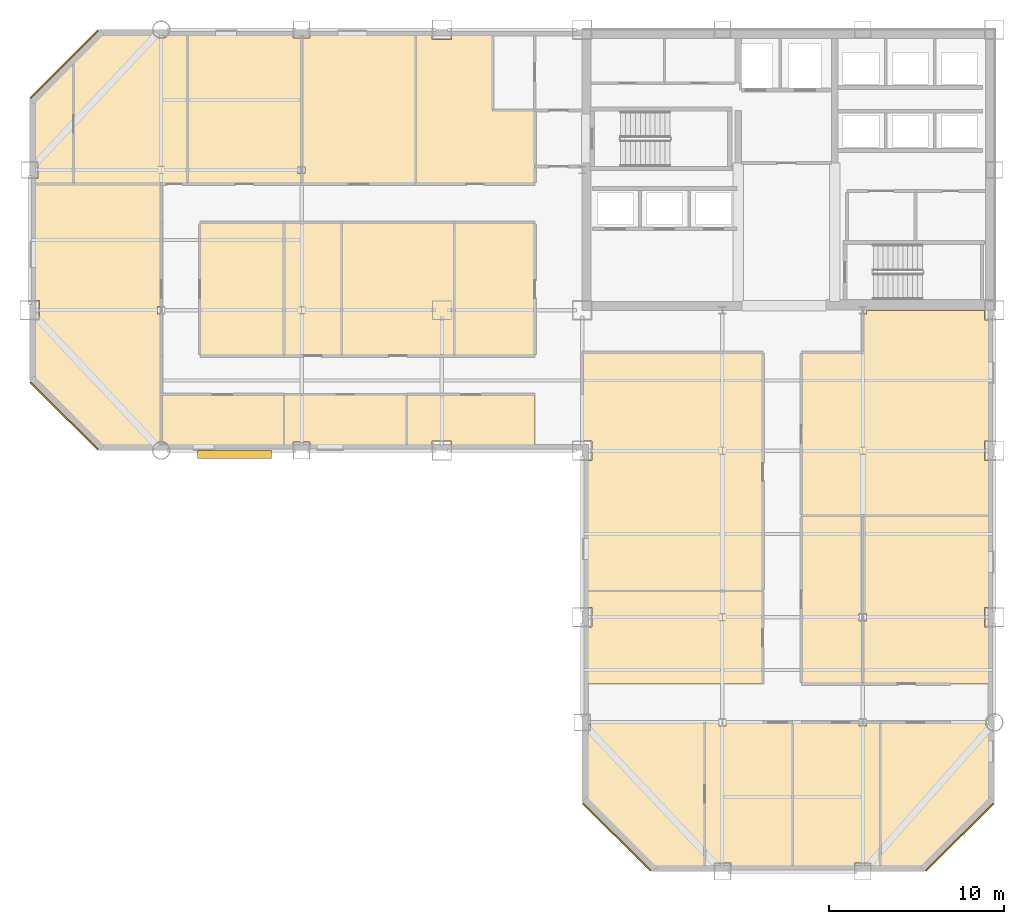
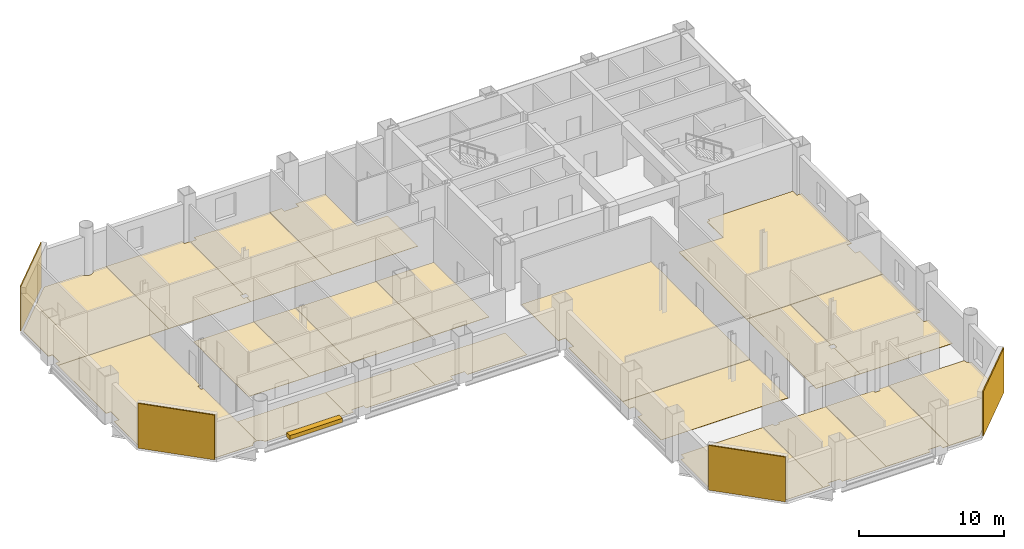
# One storey, part 9 of 10: 26 coverings, 1 shading device.
"""IFC4 building model written with IfcOpenShell, lengths in metres."""

from ifc_helpers import new_model, si_unit, direction, frame, origin, origin_2d, place, context, subcontext, project, spatial, polyline, rectangle, outline, extrude, material, layer, layer_set, type_object, element, save


model = new_model("IFC4")

# Units and contexts
model_context = context("Model", 3, precision=1e-05, world=origin(), true_north=direction((0.0, 1.0)))
body_context = subcontext(model_context, "Body", "Model", "MODEL_VIEW")
ifc_project = project(units=[si_unit("LENGTHUNIT", "METRE"), si_unit("AREAUNIT", "SQUARE_METRE"), si_unit("VOLUMEUNIT", "CUBIC_METRE"), si_unit("PLANEANGLEUNIT", "RADIAN"), si_unit("MASSUNIT", "GRAM", prefix="KILO")], contexts=[model_context])

# Site, building, storey
site_placement = place(None, origin())
site = spatial("IfcSite", under=ifc_project, at=site_placement, CompositionType="ELEMENT")
building_placement = place(site_placement, origin())
building = spatial("IfcBuilding", under=site, at=building_placement, Name="Qianrong Seaharbour Tower", CompositionType="ELEMENT")
storey_placement = place(building_placement, frame((0.0, 0.0, 183.0)))
storey = spatial("IfcBuildingStorey", under=building, at=storey_placement, Name="L44", CompositionType="ELEMENT", Elevation=183.0)

# Coverings
ifc_material_1 = material(Name="Unitised red brick cladding on Precast concrete C45/55", Category="masonry")
ifc_layer_1 = layer(ifc_material_1, 0.080078125)
ifc_layer_set_1 = layer_set([ifc_layer_1], Name="Unitised red brick cladding on Precast concrete C45/55")
covering_type_1 = type_object("IfcCoveringType", Name="COV-CLAD-RED-BRICK-80", PredefinedType="CLADDING", material=ifc_layer_set_1)
for number, where, z_axis, x_axis, name in (
    (1, (10.9716796875, 29.9716796875, 0.0), (0.0, 0.0, 1.0), (-0.707106781187, 0.707106781187, 0.0), "L44 Chamfer Corner Brick Cladding 02"),
    (2, (10.9716796875, 50.0283203125, 0.0), (0.0, 0.0, 1.0), (0.707106781187, 0.707106781187, 0.0), "L44 Chamfer Corner Brick Cladding 04"),
    (3, (62.0283203125, 5.9716796875, 0.0), (0.0, 0.0, 1.0), (-0.707106781187, -0.707106781187, 0.0), "L44 Chamfer Corner Brick Cladding 07"),
    (4, (42.4716796875, 5.9716796875, 0.0), (0.0, 0.0, 1.0), (-0.707106781187, 0.707106781187, 0.0), "L44 Chamfer Corner Brick Cladding 09"),
):
    element("IfcCovering", number, at=place(storey_placement, frame(where, z_axis=z_axis, x_axis=x_axis)), inside=storey, type_object=covering_type_1, Name=name, PredefinedType="CLADDING", context=body_context, shape_type="SweptSolid", body=[
        extrude(rectangle(XDim=5.456787109375, YDim=0.080078125, at=origin_2d()), origin(), (0.0, 0.0, 1.0), 3.764892578125),
    ])
ifc_material_2 = material(Name="Acoustic modular carpet tile flooring")
ifc_layer_2 = layer(ifc_material_2, 0.02001953125)
ifc_layer_set_2 = layer_set([ifc_layer_2], Name="Acoustic modular carpet tile flooring")
covering_type_2 = type_object("IfcCoveringType", Name="COV-FLOOR-CARPET-20", PredefinedType="FLOORING", material=ifc_layer_set_2)
covering_1_placement = place(storey_placement, origin())
element("IfcCovering", 5, at=covering_1_placement, inside=storey, type_object=covering_type_2, Name="L44 Contract Meeting Room 4 Finish Flooring", PredefinedType="FLOORING", context=body_context, shape_type="SweptSolid", body=[
    extrude(outline(polyline([(24.5, 43.7900390625), (24.7099609375, 43.7900390625), (24.7099609375, 44.2099609375), (24.5, 44.2099609375), (24.5, 51.514892578125), (24.985107421875, 51.514892578125), (24.985107421875, 51.824951171875), (31.0, 51.824951171875), (31.0, 43.199951171875), (24.5, 43.199951171875), (24.5, 43.7900390625)])), origin(), (0.0, 0.0, 1.0), 0.02001953125),
])
covering_2_placement = place(storey_placement, origin())
element("IfcCovering", 6, at=covering_2_placement, inside=storey, type_object=covering_type_2, Name="L44 Negotiation Meeting Room 1 Finish Flooring", PredefinedType="FLOORING", context=body_context, shape_type="SweptSolid", body=[
    extrude(outline(polyline([(23.5, 28.175048828125), (16.977294921875, 28.175048828125), (16.97119140625, 28.1953125), (16.924072265625, 28.283203125), (16.860595703125, 28.360595703125), (16.783203125, 28.424072265625), (16.6953125, 28.47119140625), (16.599609375, 28.500244140625), (16.5, 28.510009765625), (16.5, 31.199951171875), (23.5, 31.199951171875), (23.5, 28.175048828125)])), origin(), (0.0, 0.0, 1.0), 0.02001953125),
])
covering_3_placement = place(storey_placement, origin())
element("IfcCovering", 7, at=covering_3_placement, inside=storey, type_object=covering_type_2, Name="L44 Wet Pantry 2 Finish Flooring", PredefinedType="FLOORING", context=body_context, shape_type="SweptSolid", body=[
    extrude(outline(polyline([(30.5, 28.175048828125), (24.985107421875, 28.175048828125), (24.985107421875, 28.485107421875), (24.014892578125, 28.485107421875), (24.014892578125, 28.175048828125), (23.5, 28.175048828125), (23.5, 31.199951171875), (30.5, 31.199951171875), (30.5, 28.175048828125)])), origin(), (0.0, 0.0, 1.0), 0.02001953125),
])
covering_4_placement = place(storey_placement, origin())
element("IfcCovering", 8, at=covering_4_placement, inside=storey, type_object=covering_type_2, Name="L44 Negotiation Meeting Room 3 Finish Flooring", PredefinedType="FLOORING", context=body_context, shape_type="SweptSolid", body=[
    extrude(outline(polyline([(37.800048828125, 28.175048828125), (33.06005859375, 28.175048828125), (33.06005859375, 28.56005859375), (31.93994140625, 28.56005859375), (31.93994140625, 28.175048828125), (30.5, 28.175048828125), (30.5, 31.199951171875), (37.800048828125, 31.199951171875), (37.800048828125, 28.175048828125)])), origin(), (0.0, 0.0, 1.0), 0.02001953125),
])
covering_5_placement = place(storey_placement, origin())
element("IfcCovering", 9, at=covering_5_placement, inside=storey, type_object=covering_type_2, Name="L44 Wet Pantry 1 Finish Flooring", PredefinedType="FLOORING", context=body_context, shape_type="SweptSolid", body=[
    extrude(outline(polyline([(40.675048828125, 14.699951171875), (40.675048828125, 17.93994140625), (41.06005859375, 17.93994140625), (41.06005859375, 19.06005859375), (40.675048828125, 19.06005859375), (40.675048828125, 20.0), (50.800048828125, 20.0), (50.800048828125, 14.699951171875), (40.675048828125, 14.699951171875)])), origin(), (0.0, 0.0, 1.0), 0.02001953125),
])
covering_6_placement = place(storey_placement, origin())
element("IfcCovering", 10, at=covering_6_placement, inside=storey, type_object=covering_type_2, Name="L44 Harbour Trade Lounge 1 Finish Flooring", PredefinedType="FLOORING", context=body_context, shape_type="SweptSolid", body=[
    extrude(outline(polyline([(44.572509765625, 4.175048828125), (40.675048828125, 8.072509765625), (40.675048828125, 12.014892578125), (40.985107421875, 12.014892578125), (40.985107421875, 12.5), (47.5, 12.5), (47.5, 4.175048828125), (44.572509765625, 4.175048828125)])), origin(), (0.0, 0.0, 1.0), 0.02001953125),
])
covering_7_placement = place(storey_placement, origin())
element("IfcCovering", 11, at=covering_7_placement, inside=storey, type_object=covering_type_2, Name="L44 Contract Signing Room 2 Finish Flooring", PredefinedType="FLOORING", context=body_context, shape_type="SweptSolid", body=[
    extrude(outline(polyline([(52.5, 4.175048828125), (48.985107421875, 4.175048828125), (48.985107421875, 4.485107421875), (48.014892578125, 4.485107421875), (48.014892578125, 4.175048828125), (47.5, 4.175048828125), (47.5, 12.5), (48.2900390625, 12.5), (48.2900390625, 12.2900390625), (48.7099609375, 12.2900390625), (48.7099609375, 12.5), (52.5, 12.5), (52.5, 4.175048828125)])), origin(), (0.0, 0.0, 1.0), 0.02001953125),
])
ifc_material_3 = material(Name="Honed granite stone flooring", Category="masonry")
ifc_layer_3 = layer(ifc_material_3, 0.030029296875)
ifc_layer_set_3 = layer_set([ifc_layer_3], Name="Honed granite stone flooring")
covering_type_3 = type_object("IfcCoveringType", Name="COV-FLOOR-GRANITE-30", PredefinedType="FLOORING", material=ifc_layer_set_3)
covering_8_placement = place(storey_placement, origin())
element("IfcCovering", 12, at=covering_8_placement, inside=storey, type_object=covering_type_3, Name="L44 Chartering Model Showroom 1 Finish Flooring", PredefinedType="FLOORING", context=body_context, shape_type="SweptSolid", body=[
    extrude(outline(polyline([(56.5, 24.2900390625), (56.5, 18.7099609375), (56.2900390625, 18.7099609375), (56.2900390625, 18.2900390625), (56.5, 18.2900390625), (56.5, 14.699951171875), (53.0, 14.699951171875), (53.0, 24.2900390625), (56.5, 24.2900390625)])), origin(), (0.0, 0.0, 1.0), 0.030029296875),
])
covering_9_placement = place(storey_placement, origin())
element("IfcCovering", 13, at=covering_9_placement, inside=storey, type_object=covering_type_3, Name="L44 Port Equipment Showroom 2 Finish Flooring", PredefinedType="FLOORING", context=body_context, shape_type="SweptSolid", body=[
    extrude(outline(polyline([(63.824951171875, 24.2900390625), (63.824951171875, 19.06005859375), (63.43994140625, 19.06005859375), (63.43994140625, 17.93994140625), (63.824951171875, 17.93994140625), (63.824951171875, 14.699951171875), (56.5, 14.699951171875), (56.5, 18.2900390625), (56.7099609375, 18.2900390625), (56.7099609375, 18.7099609375), (56.5, 18.7099609375), (56.5, 24.2900390625), (63.824951171875, 24.2900390625)])), origin(), (0.0, 0.0, 1.0), 0.030029296875),
])
covering_10_placement = place(storey_placement, origin())
element("IfcCovering", 14, at=covering_10_placement, inside=storey, type_object=covering_type_3, Name="L44 Vessel Model Showroom 1 Finish Flooring", PredefinedType="FLOORING", context=body_context, shape_type="SweptSolid", body=[
    extrude(outline(polyline([(9.175048828125, 43.514892578125), (9.485107421875, 43.514892578125), (9.485107421875, 44.485107421875), (9.175048828125, 44.485107421875), (9.175048828125, 47.927490234375), (11.5, 50.25244140625), (11.5, 43.199951171875), (9.175048828125, 43.199951171875), (9.175048828125, 43.514892578125)])), origin(), (0.0, 0.0, 1.0), 0.030029296875),
])
covering_11_placement = place(storey_placement, origin())
element("IfcCovering", 15, at=covering_11_placement, inside=storey, type_object=covering_type_3, Name="L44 Navigation Systems Showroom 2 Finish Flooring", PredefinedType="FLOORING", context=body_context, shape_type="SweptSolid", body=[
    extrude(outline(polyline([(11.5, 50.25244140625), (13.072509765625, 51.824951171875), (16.022705078125, 51.824951171875), (16.02880859375, 51.8046875), (16.075927734375, 51.716796875), (16.139404296875, 51.639404296875), (16.216796875, 51.575927734375), (16.3046875, 51.52880859375), (16.400390625, 51.499755859375), (16.5, 51.489990234375), (16.599609375, 51.499755859375), (16.6953125, 51.52880859375), (16.783203125, 51.575927734375), (16.860595703125, 51.639404296875), (16.924072265625, 51.716796875), (16.97119140625, 51.8046875), (16.977294921875, 51.824951171875), (18.0, 51.824951171875), (18.0, 43.199951171875), (11.5, 43.199951171875), (11.5, 50.25244140625)])), origin(), (0.0, 0.0, 1.0), 0.030029296875),
])
covering_12_placement = place(storey_placement, origin())
element("IfcCovering", 16, at=covering_12_placement, inside=storey, type_object=covering_type_3, Name="L44 Marine Propulsion Showroom 3 Finish Flooring", PredefinedType="FLOORING", context=body_context, shape_type="SweptSolid", body=[
    extrude(outline(polyline([(18.0, 51.824951171875), (24.014892578125, 51.824951171875), (24.014892578125, 51.514892578125), (24.5, 51.514892578125), (24.5, 44.2099609375), (24.2900390625, 44.2099609375), (24.2900390625, 43.7900390625), (24.5, 43.7900390625), (24.5, 43.199951171875), (18.0, 43.199951171875), (18.0, 51.824951171875)])), origin(), (0.0, 0.0, 1.0), 0.030029296875),
])
covering_13_placement = place(storey_placement, origin())
element("IfcCovering", 17, at=covering_13_placement, inside=storey, type_object=covering_type_3, Name="L44 Vessel Model Showroom 5 Finish Flooring", PredefinedType="FLOORING", context=body_context, shape_type="SweptSolid", body=[
    extrude(outline(polyline([(31.0, 51.824951171875), (31.93994140625, 51.824951171875), (31.93994140625, 51.43994140625), (33.06005859375, 51.43994140625), (33.06005859375, 51.824951171875), (35.39990234375, 51.824951171875), (35.39990234375, 47.39990234375), (37.800048828125, 47.39990234375), (37.800048828125, 43.199951171875), (31.0, 43.199951171875), (31.0, 51.824951171875)])), origin(), (0.0, 0.0, 1.0), 0.030029296875),
])
covering_14_placement = place(storey_placement, origin())
element("IfcCovering", 18, at=covering_14_placement, inside=storey, type_object=covering_type_3, Name="L44 Maritime Artifact Showroom 1 Finish Flooring", PredefinedType="FLOORING", context=body_context, shape_type="SweptSolid", body=[
    extrude(outline(polyline([(23.5, 41.0), (23.5, 33.39990234375), (18.699951171875, 33.39990234375), (18.699951171875, 41.0), (23.5, 41.0)])), origin(), (0.0, 0.0, 1.0), 0.030029296875),
])
covering_15_placement = place(storey_placement, origin())
element("IfcCovering", 19, at=covering_15_placement, inside=storey, type_object=covering_type_3, Name="L44 Maritime Artifact Showroom 2 Finish Flooring", PredefinedType="FLOORING", context=body_context, shape_type="SweptSolid", body=[
    extrude(outline(polyline([(26.800048828125, 41.0), (26.800048828125, 33.39990234375), (23.5, 33.39990234375), (23.5, 41.0), (26.800048828125, 41.0)])), origin(), (0.0, 0.0, 1.0), 0.030029296875),
])
covering_16_placement = place(storey_placement, origin())
element("IfcCovering", 20, at=covering_16_placement, inside=storey, type_object=covering_type_3, Name="L44 Maritime Artifact Showroom 3 Finish Flooring", PredefinedType="FLOORING", context=body_context, shape_type="SweptSolid", body=[
    extrude(outline(polyline([(33.199951171875, 41.0), (33.199951171875, 33.39990234375), (26.800048828125, 33.39990234375), (26.800048828125, 41.0), (33.199951171875, 41.0)])), origin(), (0.0, 0.0, 1.0), 0.030029296875),
])
covering_17_placement = place(storey_placement, origin())
element("IfcCovering", 21, at=covering_17_placement, inside=storey, type_object=covering_type_3, Name="L44 Maritime Artifact Showroom 4 Finish Flooring", PredefinedType="FLOORING", context=body_context, shape_type="SweptSolid", body=[
    extrude(outline(polyline([(37.800048828125, 41.0), (37.800048828125, 33.39990234375), (33.199951171875, 33.39990234375), (33.199951171875, 41.0), (37.800048828125, 41.0)])), origin(), (0.0, 0.0, 1.0), 0.030029296875),
])
covering_18_placement = place(storey_placement, origin())
element("IfcCovering", 22, at=covering_18_placement, inside=storey, type_object=covering_type_3, Name="L44 Flagship Fleet Exhibition Showroom Finish Flooring", PredefinedType="FLOORING", context=body_context, shape_type="SweptSolid", body=[
    extrude(outline(polyline([(13.072509765625, 28.175048828125), (9.175048828125, 32.072509765625), (9.175048828125, 35.43994140625), (9.56005859375, 35.43994140625), (9.56005859375, 36.56005859375), (9.175048828125, 36.56005859375), (9.175048828125, 43.199951171875), (16.5, 43.199951171875), (16.5, 36.2099609375), (16.2900390625, 36.2099609375), (16.2900390625, 35.7900390625), (16.5, 35.7900390625), (16.5, 28.510009765625), (16.400390625, 28.500244140625), (16.3046875, 28.47119140625), (16.216796875, 28.424072265625), (16.139404296875, 28.360595703125), (16.075927734375, 28.283203125), (16.02880859375, 28.1953125), (16.022705078125, 28.175048828125), (13.072509765625, 28.175048828125)])), origin(), (0.0, 0.0, 1.0), 0.030029296875),
])
covering_19_placement = place(storey_placement, origin())
element("IfcCovering", 23, at=covering_19_placement, inside=storey, type_object=covering_type_3, Name="L44 Maritime Fleet Gallery 2 Finish Flooring", PredefinedType="FLOORING", context=body_context, shape_type="SweptSolid", body=[
    extrude(outline(polyline([(50.800048828125, 20.0), (40.675048828125, 20.0), (40.675048828125, 27.43994140625), (41.06005859375, 27.43994140625), (41.06005859375, 28.56005859375), (40.5, 28.56005859375), (40.5, 33.60009765625), (50.800048828125, 33.60009765625), (50.800048828125, 20.0)])), origin(), (0.0, 0.0, 1.0), 0.030029296875),
])
covering_20_placement = place(storey_placement, origin())
element("IfcCovering", 24, at=covering_20_placement, inside=storey, type_object=covering_type_3, Name="L44 Marine Showcase Showroom 3 Finish Flooring", PredefinedType="FLOORING", context=body_context, shape_type="SweptSolid", body=[
    extrude(outline(polyline([(57.5, 4.175048828125), (56.985107421875, 4.175048828125), (56.985107421875, 4.485107421875), (56.014892578125, 4.485107421875), (56.014892578125, 4.175048828125), (52.5, 4.175048828125), (52.5, 12.5), (56.2900390625, 12.5), (56.2900390625, 12.2900390625), (56.7099609375, 12.2900390625), (56.7099609375, 12.5), (57.5, 12.5), (57.5, 4.175048828125)])), origin(), (0.0, 0.0, 1.0), 0.030029296875),
])
ifc_material_4 = material(Name="Calcium-sulphate raised access floor tile")
ifc_layer_4 = layer(ifc_material_4, 0.044921875)
ifc_layer_set_4 = layer_set([ifc_layer_4], Name="Calcium-sulphate raised access floor tile")
covering_type_4 = type_object("IfcCoveringType", Name="COV-FLOOR-RAISED-45", PredefinedType="FLOORING", material=ifc_layer_set_4)
covering_21_placement = place(storey_placement, origin())
element("IfcCovering", 25, at=covering_21_placement, inside=storey, type_object=covering_type_4, Name="L44 Commercial Desk Open-Plan Office Finish Flooring", PredefinedType="FLOORING", context=body_context, shape_type="SweptSolid", body=[
    extrude(outline(polyline([(56.5, 33.60009765625), (56.5, 35.7900390625), (56.7099609375, 35.7900390625), (56.7099609375, 36.0), (63.43994140625, 36.0), (63.43994140625, 35.43994140625), (63.824951171875, 35.43994140625), (63.824951171875, 28.56005859375), (63.43994140625, 28.56005859375), (63.43994140625, 27.43994140625), (63.824951171875, 27.43994140625), (63.824951171875, 24.2900390625), (53.0, 24.2900390625), (53.0, 33.60009765625), (56.5, 33.60009765625)])), origin(), (0.0, 0.0, 1.0), 0.044921875),
])
covering_22_placement = place(storey_placement, origin())
element("IfcCovering", 26, at=covering_22_placement, inside=storey, type_object=covering_type_4, Name="L44 Brokerage Office 4 Finish Flooring", PredefinedType="FLOORING", context=body_context, shape_type="SweptSolid", body=[
    extrude(outline(polyline([(63.824951171875, 8.072509765625), (59.927490234375, 4.175048828125), (57.5, 4.175048828125), (57.5, 12.5), (63.489990234375, 12.5), (63.499755859375, 12.400390625), (63.52880859375, 12.3046875), (63.575927734375, 12.216796875), (63.639404296875, 12.139404296875), (63.716796875, 12.075927734375), (63.8046875, 12.02880859375), (63.824951171875, 12.022705078125), (63.824951171875, 8.072509765625)])), origin(), (0.0, 0.0, 1.0), 0.044921875),
])

# Shading device
ifc_material_5 = material(Name="White architectural precast concrete C45/55", Category="concrete")
shading_device_type = type_object("IfcShadingDeviceType", Name="SHD-SUNSHADE-WHITE-320", PredefinedType="AWNING", material=ifc_material_5)
shading_device_placement = place(storey_placement, frame((20.675048828125, 27.780029296875, -0.02001953125), z_axis=(0.0, 0.0, 1.0), x_axis=(1.0, 0.0, 0.0)))
element("IfcShadingDevice", 27, at=shading_device_placement, inside=storey, type_object=shading_device_type, Name="L44 Climbing White Precast Ribbon Canopy Fin", PredefinedType="AWNING", context=body_context, shape_type="SweptSolid", body=[
    extrude(rectangle(XDim=4.199951171875, YDim=0.4599609375, at=origin_2d()), origin(), (0.0, 0.0, 1.0), 0.340087890625),
])

save(model, "model.ifc")
